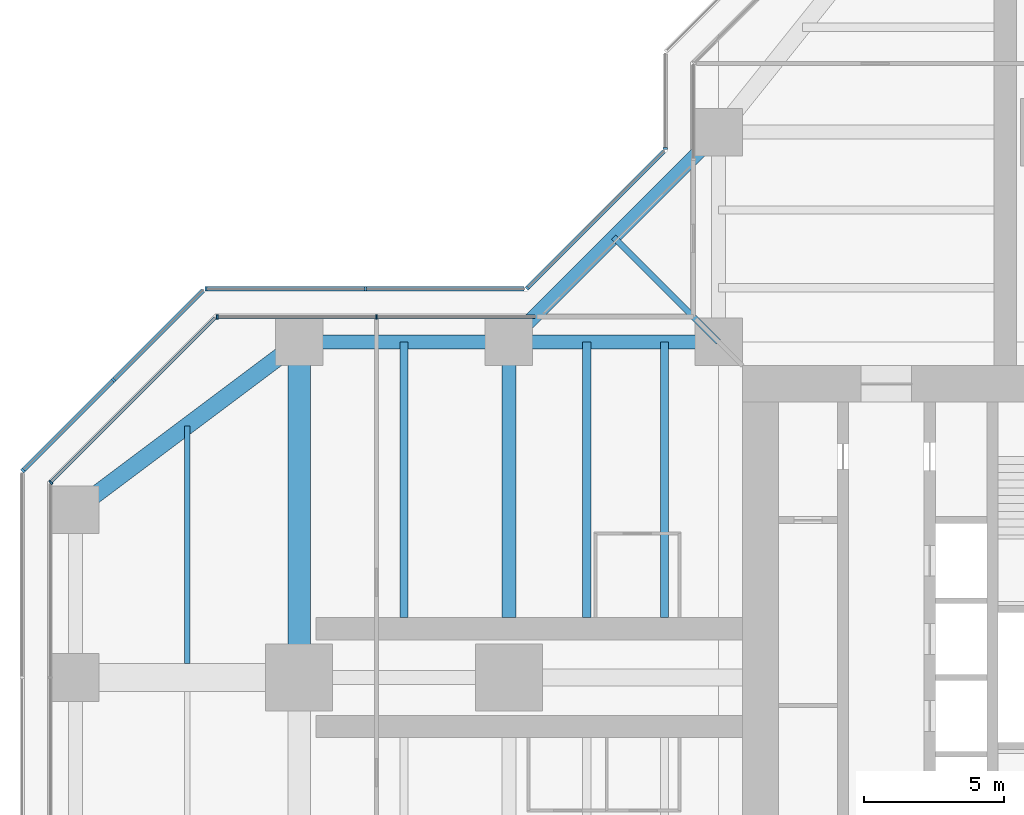
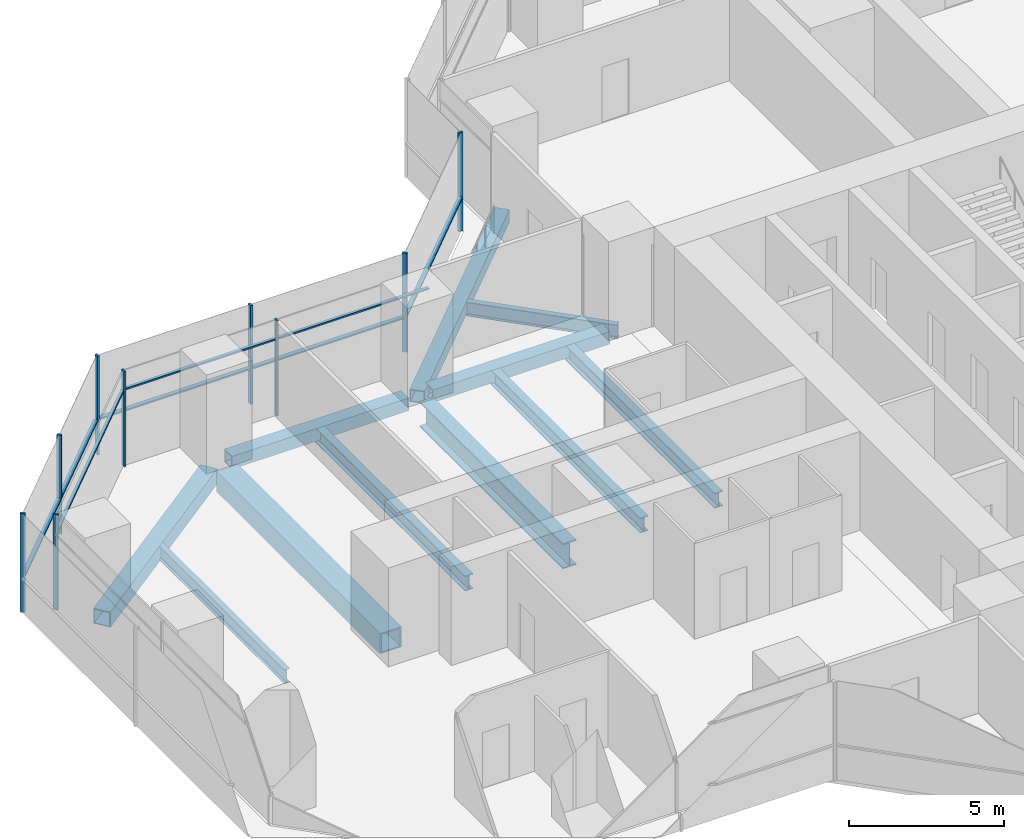
# One storey, part 7 of 20: 17 members, 11 beams, 6 elements without a shape of their own.
"""IFC4 building model written with IfcOpenShell, lengths in metres."""

from ifc_helpers import new_model, si_unit, direction, frame, origin, origin_2d, place, context, subcontext, project, spatial, rectangle, hollow_rectangle, i_section, extrude, material, material_profile, profile_set, type_object, element, aggregate, save


model = new_model("IFC4")

# Units and contexts
model_context = context("Model", 3, precision=1e-05, world=origin(), true_north=direction((0.0, 1.0)))
body_context = subcontext(model_context, "Body", "Model", "MODEL_VIEW")
ifc_project = project(units=[si_unit("LENGTHUNIT", "METRE"), si_unit("AREAUNIT", "SQUARE_METRE"), si_unit("VOLUMEUNIT", "CUBIC_METRE"), si_unit("PLANEANGLEUNIT", "RADIAN"), si_unit("MASSUNIT", "GRAM", prefix="KILO")], contexts=[model_context])

# Site, building, storey
site_placement = place(None, origin())
site = spatial("IfcSite", under=ifc_project, at=site_placement, CompositionType="ELEMENT")
building_placement = place(site_placement, origin())
building = spatial("IfcBuilding", under=site, at=building_placement, Name="Mizan Broadcast Tower", CompositionType="ELEMENT")
storey_placement = place(building_placement, frame((0.0, 0.0, 143.699951171875)))
storey = spatial("IfcBuildingStorey", under=building, at=storey_placement, Name="L32", CompositionType="ELEMENT", Elevation=143.699951171875)

# Beams
ifc_material_1 = material(Name="Steel S355", Category="steel")
ifc_material_profile_1 = material_profile(ifc_material_1, hollow_rectangle(XDim=0.5, YDim=0.5, WallThickness=0.030029296875, at=origin_2d()), Name="BOX 500x500x30")
ifc_profile_set_1 = profile_set([ifc_material_profile_1], Name="Steel S355")
beam_type_1 = type_object("IfcBeamType", Name="EDGE BEAM BOX 500x500x30", PredefinedType="SPANDREL", material=ifc_profile_set_1)
for number, where, z_axis, x_axis, name in (
    (1, (-12.449951171875, 12.0, -0.3798828125), (-1.0, 0.0, 0.0), (0.0, -1.0, 0.0), "Edge beam BOX 500x500x30 L32 west arm"),
    (2, (-19.949951171875, 12.0, -0.3798828125), (-1.0, 0.0, 0.0), (0.0, -1.0, 0.0), "Edge beam BOX 500x500x30 L32 west arm"),
):
    element("IfcBeam", number, at=place(storey_placement, frame(where, z_axis=z_axis, x_axis=x_axis)), inside=storey, type_object=beam_type_1, Name=name, PredefinedType="SPANDREL", context=body_context, shape_type="SweptSolid", body=[
        extrude(hollow_rectangle(XDim=0.5, YDim=0.5, WallThickness=0.030029296875, at=origin_2d()), origin(), (0.0, 0.0, 1.0), 6.60009765625),
    ])
beam_1_placement = place(storey_placement, frame((-12.0, 19.5, -0.3798828125), z_axis=(-0.707106781187, -0.707106781187, 0.0), x_axis=(0.707106781187, -0.707106781187, 0.0)))
element("IfcBeam", 3, at=beam_1_placement, inside=storey, type_object=beam_type_1, Name="Winter garden edge beam L32 N", PredefinedType="SPANDREL", context=body_context, shape_type="SweptSolid", body=[
    extrude(hollow_rectangle(XDim=0.5, YDim=0.5, WallThickness=0.030029296875, at=origin_2d()), origin(), (0.0, 0.0, 1.0), 10.606689453125),
])
ifc_material_2 = material(Name="Steel S355", Category="steel")
ifc_material_profile_2 = material_profile(ifc_material_2, hollow_rectangle(XDim=0.60009765625, YDim=0.60009765625, WallThickness=0.030029296875, at=origin_2d()), Name="BOX 600x600x30")
ifc_profile_set_2 = profile_set([ifc_material_profile_2], Name="Steel S355")
beam_type_2 = type_object("IfcBeamType", Name="EDGE BEAM BOX 600x600x30", PredefinedType="SPANDREL", material=ifc_profile_set_2)
beam_2_placement = place(storey_placement, frame((-27.47998046875, 11.639892578125, -0.429931640625), z_axis=(-0.800013316712, -0.599982243973, 0.0), x_axis=(0.599982243973, -0.800013316712, 0.0)))
element("IfcBeam", 4, at=beam_2_placement, inside=storey, type_object=beam_type_2, Name="Edge beam BOX 600x600x30 L32 west arm", PredefinedType="SPANDREL", context=body_context, shape_type="SweptSolid", body=[
    extrude(hollow_rectangle(XDim=0.60009765625, YDim=0.60009765625, WallThickness=0.030029296875, at=origin_2d()), origin(), (0.0, 0.0, 1.0), 8.7998046875),
])
ifc_material_3 = material(Name="Steel S460", Category="steel")
ifc_material_profile_3 = material_profile(ifc_material_3, hollow_rectangle(XDim=0.800048828125, YDim=0.800048828125, WallThickness=0.050048828125, at=origin_2d()), Name="BOX 800x800x50")
ifc_profile_set_3 = profile_set([ifc_material_profile_3], Name="Steel S460")
beam_type_3 = type_object("IfcBeamType", Name="GIRDER BOX 800x800x50", PredefinedType="BEAM", material=ifc_profile_set_3)
beam_3_placement = place(storey_placement, frame((-27.0, 11.280029296875, -0.530029296875), z_axis=(0.0, -1.0, 0.0), x_axis=(1.0, 0.0, 0.0)))
element("IfcBeam", 5, at=beam_3_placement, inside=storey, type_object=beam_type_3, Name="Girder BOX 800x800x50 L32 west arm", PredefinedType="BEAM", context=body_context, shape_type="SweptSolid", body=[
    extrude(hollow_rectangle(XDim=0.800048828125, YDim=0.800048828125, WallThickness=0.050048828125, at=origin_2d()), origin(), (0.0, 0.0, 1.0), 10.56005859375),
])
ifc_material_4 = material(Name="Steel S460", Category="steel")
ifc_material_profile_4 = material_profile(ifc_material_4, i_section(OverallWidth=0.5, OverallDepth=1.0, WebThickness=0.02490234375, FlangeThickness=0.050048828125, at=origin_2d()), Name="WPG 1000x500")
ifc_profile_set_4 = profile_set([ifc_material_profile_4], Name="Steel S460")
beam_type_4 = type_object("IfcBeamType", Name="GIRDER WPG 1000x500", PredefinedType="BEAM", material=ifc_profile_set_4)
beam_4_placement = place(storey_placement, frame((-19.5, 11.408935546875, -0.6298828125), z_axis=(0.0, -1.0, 0.0), x_axis=(1.0, 0.0, 0.0)))
element("IfcBeam", 6, at=beam_4_placement, inside=storey, type_object=beam_type_4, Name="Girder WPG 1000x500 L32 west arm", PredefinedType="BEAM", context=body_context, shape_type="SweptSolid", body=[
    extrude(i_section(OverallWidth=0.5, OverallDepth=1.0, WebThickness=0.02490234375, FlangeThickness=0.050048828125, at=origin_2d()), origin(), (0.0, 0.0, 1.0), 9.259033203125),
])

# Curtain wall, members
ifc_material_5 = material(Name="Aluminium framed glazing", Category="aluminium")
curtain_wall_type_1 = type_object("IfcCurtainWallType", Name="INNER SKIN MID ZONE", PredefinedType="USERDEFINED", material=ifc_material_5)
curtain_wall_1_placement = place(storey_placement, origin())
curtain_wall_1 = element("IfcCurtainWall", 7, at=curtain_wall_1_placement, inside=storey, type_object=curtain_wall_type_1, Name="Inner skin mid zone L32 W side", ObjectType="INNER SKIN MID ZONE", PredefinedType="USERDEFINED")
ifc_material_6 = material(Name="Aluminium, pale anodised", Category="aluminium")
ifc_material_profile_5 = material_profile(ifc_material_6, rectangle(XDim=0.159912109375, YDim=0.06005859375, at=origin_2d()), Name="MULLION 160x60")
ifc_profile_set_5 = profile_set([ifc_material_profile_5], Name="Aluminium, pale anodised")
member_type_1 = type_object("IfcMemberType", Name="INNER SKIN MULLION 60x160", PredefinedType="MULLION", material=ifc_profile_set_5)
member_1_placement = place(storey_placement, frame((-24.229248046875, 12.89990234375, 0.0), z_axis=(0.0, 0.0, 1.0), x_axis=(0.0, -1.0, 0.0)))
member_1 = element("IfcMember", 8, at=member_1_placement, type_object=member_type_1, Name="Inner skin mid zone L32 W side mullion 2", PredefinedType="MULLION", context=body_context, shape_type="SweptSolid", body=[
    extrude(rectangle(XDim=0.159912109375, YDim=0.06005859375, at=origin_2d()), origin(), (0.0, 0.0, 1.0), 3.77001953125),
])
member_2_placement = place(storey_placement, frame((-29.928466796875, 12.89990234375, 0.0), z_axis=(0.0, 0.0, 1.0), x_axis=(0.0, -1.0, 0.0)))
member_2 = element("IfcMember", 9, at=member_2_placement, type_object=member_type_1, Name="Inner skin mid zone L32 W side mullion 3", PredefinedType="MULLION", context=body_context, shape_type="SweptSolid", body=[
    extrude(rectangle(XDim=0.159912109375, YDim=0.06005859375, at=origin_2d()), origin(), (0.0, 0.0, 1.0), 3.77001953125),
])

# Curtain wall, member
curtain_wall_2_placement = place(storey_placement, origin())
curtain_wall_2 = element("IfcCurtainWall", 10, at=curtain_wall_2_placement, inside=storey, type_object=curtain_wall_type_1, Name="Inner skin mid zone L32 W chamfer", ObjectType="INNER SKIN MID ZONE", PredefinedType="USERDEFINED")
member_3_placement = place(storey_placement, frame((-35.87890625, 6.979736328125, 0.0), z_axis=(0.0, 0.0, 1.0), x_axis=(0.707106781187, -0.707106781187, 0.0)))
member_3 = element("IfcMember", 11, at=member_3_placement, type_object=member_type_1, Name="Inner skin mid zone L32 W chamfer mullion 2", PredefinedType="MULLION", context=body_context, shape_type="SweptSolid", body=[
    extrude(rectangle(XDim=0.159912109375, YDim=0.06005859375, at=origin_2d()), origin(), (0.0, 0.0, 1.0), 3.77001953125),
])

# Member
ifc_material_7 = material(Name="Aluminium, pale anodised", Category="aluminium")
ifc_material_profile_6 = material_profile(ifc_material_7, rectangle(XDim=0.1201171875, YDim=0.06005859375, at=origin_2d()), Name="TRANSOM 120x60")
ifc_profile_set_6 = profile_set([ifc_material_profile_6], Name="Aluminium, pale anodised")
member_type_2 = type_object("IfcMemberType", Name="INNER SKIN TRANSOM 60x120", PredefinedType="USERDEFINED", material=ifc_profile_set_6)
member_4_placement = place(storey_placement, frame((-18.56005859375, 12.89990234375, 3.030029296875), z_axis=(-1.0, 0.0, 0.0), x_axis=(0.0, -1.0, 0.0)))
member_4 = element("IfcMember", 12, at=member_4_placement, type_object=member_type_2, Name="Inner skin mid zone L32 W side transom 1.1", ObjectType="TRANSOM", PredefinedType="USERDEFINED", context=body_context, shape_type="SweptSolid", body=[
    extrude(rectangle(XDim=0.1201171875, YDim=0.06005859375, at=origin_2d()), origin(), (0.0, 0.0, 1.0), 5.63916015625),
])

member_5_placement = place(storey_placement, frame((-24.25927734375, 12.89990234375, 3.030029296875), z_axis=(-1.0, 0.0, 0.0), x_axis=(0.0, -1.0, 0.0)))
member_5 = element("IfcMember", 13, at=member_5_placement, type_object=member_type_2, Name="Inner skin mid zone L32 W side transom 2.1", ObjectType="TRANSOM", PredefinedType="USERDEFINED", context=body_context, shape_type="SweptSolid", body=[
    extrude(rectangle(XDim=0.1201171875, YDim=0.06005859375, at=origin_2d()), origin(), (0.0, 0.0, 1.0), 5.639404296875),
])

aggregate(curtain_wall_1, [member_1, member_2, member_4, member_5])

member_6_placement = place(storey_placement, frame((-30.0009765625, 12.857666015625, 3.030029296875), z_axis=(-0.707106781187, -0.707106781187, 0.0), x_axis=(0.707106781187, -0.707106781187, 0.0)))
member_6 = element("IfcMember", 14, at=member_6_placement, type_object=member_type_2, Name="Inner skin mid zone L32 W chamfer transom 1.1", ObjectType="TRANSOM", PredefinedType="USERDEFINED", context=body_context, shape_type="SweptSolid", body=[
    extrude(rectangle(XDim=0.1201171875, YDim=0.06005859375, at=origin_2d()), origin(), (0.0, 0.0, 1.0), 8.28271484375),
])

aggregate(curtain_wall_2, [member_3, member_6])

# Curtain wall, member
ifc_material_8 = material(Name="Aluminium framed glazing", Category="aluminium")
curtain_wall_type_2 = type_object("IfcCurtainWallType", Name="OUTER SKIN", PredefinedType="USERDEFINED", material=ifc_material_8)
curtain_wall_3_placement = place(storey_placement, origin())
curtain_wall_3 = element("IfcCurtainWall", 15, at=curtain_wall_3_placement, inside=storey, type_object=curtain_wall_type_2, Name="Outer skin L32 N side", ObjectType="OUTER SKIN", PredefinedType="USERDEFINED")
ifc_material_9 = material(Name="Aluminium, pale anodised", Category="aluminium")
ifc_material_profile_7 = material_profile(ifc_material_9, rectangle(XDim=0.159912109375, YDim=0.080078125, at=origin_2d()), Name="MULLION 160x80")
ifc_profile_set_7 = profile_set([ifc_material_profile_7], Name="Aluminium, pale anodised")
member_type_3 = type_object("IfcMemberType", Name="OUTER SKIN MULLION 80x160", PredefinedType="MULLION", material=ifc_profile_set_7)
member_7_placement = place(storey_placement, frame((-13.89990234375, 18.912841796875, 0.0), z_axis=(0.0, 0.0, 1.0), x_axis=(1.0, 0.0, 0.0)))
member_7 = element("IfcMember", 16, at=member_7_placement, type_object=member_type_3, Name="Outer skin L32 N side mullion 2", PredefinedType="MULLION", context=body_context, shape_type="SweptSolid", body=[
    extrude(rectangle(XDim=0.159912109375, YDim=0.080078125, at=origin_2d()), origin(), (0.0, 0.0, 1.0), 3.900146484375),
])
aggregate(curtain_wall_3, [member_7])

curtain_wall_4_placement = place(storey_placement, origin())
curtain_wall_4 = element("IfcCurtainWall", 17, at=curtain_wall_4_placement, inside=storey, type_object=curtain_wall_type_2, Name="Outer skin L32 W chamfer", ObjectType="OUTER SKIN", PredefinedType="USERDEFINED")
member_8_placement = place(storey_placement, frame((-18.844482421875, 13.92822265625, 0.0), z_axis=(0.0, 0.0, 1.0), x_axis=(0.707106781187, -0.707106781187, 0.0)))
member_8 = element("IfcMember", 18, at=member_8_placement, type_object=member_type_3, Name="Outer skin L32 W chamfer mullion 2", PredefinedType="MULLION", context=body_context, shape_type="SweptSolid", body=[
    extrude(rectangle(XDim=0.159912109375, YDim=0.080078125, at=origin_2d()), origin(), (0.0, 0.0, 1.0), 3.900146484375),
])

# Curtain wall, members
curtain_wall_5_placement = place(storey_placement, origin())
curtain_wall_5 = element("IfcCurtainWall", 19, at=curtain_wall_5_placement, inside=storey, type_object=curtain_wall_type_2, Name="Outer skin L32 W side", ObjectType="OUTER SKIN", PredefinedType="USERDEFINED")
member_9_placement = place(storey_placement, frame((-24.622802734375, 13.89990234375, 0.0), z_axis=(0.0, 0.0, 1.0), x_axis=(0.0, -1.0, 0.0)))
member_9 = element("IfcMember", 20, at=member_9_placement, type_object=member_type_3, Name="Outer skin L32 W side mullion 2", PredefinedType="MULLION", context=body_context, shape_type="SweptSolid", body=[
    extrude(rectangle(XDim=0.159912109375, YDim=0.080078125, at=origin_2d()), origin(), (0.0, 0.0, 1.0), 3.900146484375),
])
member_10_placement = place(storey_placement, frame((-30.332763671875, 13.89990234375, 0.0), z_axis=(0.0, 0.0, 1.0), x_axis=(0.0, -1.0, 0.0)))
member_10 = element("IfcMember", 21, at=member_10_placement, type_object=member_type_3, Name="Outer skin L32 W side mullion 3", PredefinedType="MULLION", context=body_context, shape_type="SweptSolid", body=[
    extrude(rectangle(XDim=0.159912109375, YDim=0.080078125, at=origin_2d()), origin(), (0.0, 0.0, 1.0), 3.900146484375),
])

curtain_wall_6_placement = place(storey_placement, origin())
curtain_wall_6 = element("IfcCurtainWall", 22, at=curtain_wall_6_placement, inside=storey, type_object=curtain_wall_type_2, Name="Outer skin L32 W chamfer", ObjectType="OUTER SKIN", PredefinedType="USERDEFINED")
member_11_placement = place(storey_placement, frame((-33.636474609375, 10.636474609375, 0.0), z_axis=(0.0, 0.0, 1.0), x_axis=(0.707106781187, -0.707106781187, 0.0)))
member_11 = element("IfcMember", 23, at=member_11_placement, type_object=member_type_3, Name="Outer skin L32 W chamfer mullion 2", PredefinedType="MULLION", context=body_context, shape_type="SweptSolid", body=[
    extrude(rectangle(XDim=0.159912109375, YDim=0.080078125, at=origin_2d()), origin(), (0.0, 0.0, 1.0), 3.900146484375),
])
member_12_placement = place(storey_placement, frame((-36.871826171875, 7.401123046875, 0.0), z_axis=(0.0, 0.0, 1.0), x_axis=(0.707106781187, -0.707106781187, 0.0)))
member_12 = element("IfcMember", 24, at=member_12_placement, type_object=member_type_3, Name="Outer skin L32 W chamfer mullion 3", PredefinedType="MULLION", context=body_context, shape_type="SweptSolid", body=[
    extrude(rectangle(XDim=0.159912109375, YDim=0.080078125, at=origin_2d()), origin(), (0.0, 0.0, 1.0), 3.900146484375),
])

# Member
ifc_material_10 = material(Name="Aluminium, pale anodised", Category="aluminium")
ifc_material_profile_8 = material_profile(ifc_material_10, rectangle(XDim=0.159912109375, YDim=0.06005859375, at=origin_2d()), Name="TRANSOM 160x60")
ifc_profile_set_8 = profile_set([ifc_material_profile_8], Name="Aluminium, pale anodised")
member_type_4 = type_object("IfcMemberType", Name="OUTER SKIN TRANSOM 60x160", PredefinedType="USERDEFINED", material=ifc_profile_set_8)
member_13_placement = place(storey_placement, frame((-13.95654296875, 18.816162109375, 1.400146484375), z_axis=(-0.707106781187, -0.707106781187, 0.0), x_axis=(0.707106781187, -0.707106781187, 0.0)))
member_13 = element("IfcMember", 25, at=member_13_placement, type_object=member_type_4, Name="Outer skin L32 W chamfer transom 1.1", ObjectType="TRANSOM", PredefinedType="USERDEFINED", context=body_context, shape_type="SweptSolid", body=[
    extrude(rectangle(XDim=0.159912109375, YDim=0.06005859375, at=origin_2d()), origin(), (0.0, 0.0, 1.0), 6.87255859375),
])

aggregate(curtain_wall_4, [member_8, member_13])

member_14_placement = place(storey_placement, frame((-18.952880859375, 13.89990234375, 1.400146484375), z_axis=(-1.0, 0.0, 0.0), x_axis=(0.0, -1.0, 0.0)))
member_14 = element("IfcMember", 26, at=member_14_placement, type_object=member_type_4, Name="Outer skin L32 W side transom 1.1", ObjectType="TRANSOM", PredefinedType="USERDEFINED", context=body_context, shape_type="SweptSolid", body=[
    extrude(rectangle(XDim=0.159912109375, YDim=0.06005859375, at=origin_2d()), origin(), (0.0, 0.0, 1.0), 5.6298828125),
])

member_15_placement = place(storey_placement, frame((-24.662841796875, 13.89990234375, 1.400146484375), z_axis=(-1.0, 0.0, 0.0), x_axis=(0.0, -1.0, 0.0)))
member_15 = element("IfcMember", 27, at=member_15_placement, type_object=member_type_4, Name="Outer skin L32 W side transom 2.1", ObjectType="TRANSOM", PredefinedType="USERDEFINED", context=body_context, shape_type="SweptSolid", body=[
    extrude(rectangle(XDim=0.159912109375, YDim=0.06005859375, at=origin_2d()), origin(), (0.0, 0.0, 1.0), 5.6298828125),
])

aggregate(curtain_wall_5, [member_9, member_10, member_14, member_15])

member_16_placement = place(storey_placement, frame((-30.429443359375, 13.843505859375, 1.400146484375), z_axis=(-0.707106781187, -0.707106781187, 0.0), x_axis=(0.707106781187, -0.707106781187, 0.0)))
member_16 = element("IfcMember", 28, at=member_16_placement, type_object=member_type_4, Name="Outer skin L32 W chamfer transom 1.1", ObjectType="TRANSOM", PredefinedType="USERDEFINED", context=body_context, shape_type="SweptSolid", body=[
    extrude(rectangle(XDim=0.159912109375, YDim=0.06005859375, at=origin_2d()), origin(), (0.0, 0.0, 1.0), 4.495361328125),
])

member_17_placement = place(storey_placement, frame((-33.664794921875, 10.608154296875, 1.400146484375), z_axis=(-0.707106781187, -0.707106781187, 0.0), x_axis=(0.707106781187, -0.707106781187, 0.0)))
member_17 = element("IfcMember", 29, at=member_17_placement, type_object=member_type_4, Name="Outer skin L32 W chamfer transom 2.1", ObjectType="TRANSOM", PredefinedType="USERDEFINED", context=body_context, shape_type="SweptSolid", body=[
    extrude(rectangle(XDim=0.159912109375, YDim=0.06005859375, at=origin_2d()), origin(), (0.0, 0.0, 1.0), 4.495361328125),
])

aggregate(curtain_wall_6, [member_11, member_12, member_16, member_17])

# Beams
ifc_material_11 = material(Name="Steel S355", Category="steel")
ifc_material_profile_9 = material_profile(ifc_material_11, i_section(OverallWidth=0.300048828125, OverallDepth=0.590087890625, WebThickness=0.012939453125, FlangeThickness=0.02490234375, FilletRadius=0.027099609375, at=origin_2d()), Name="HEA 600")
ifc_profile_set_9 = profile_set([ifc_material_profile_9], Name="Steel S355")
beam_type_5 = type_object("IfcBeamType", Name="SECONDARY BEAM HEA 600", PredefinedType="JOIST", material=ifc_profile_set_9)
for number, where, z_axis, x_axis, name in (
    (30, (-13.933349609375, 12.0, -0.425048828125), (0.0, -1.0, 0.0), (1.0, 0.0, 0.0), "Secondary beam HEA 600 L32 west arm"),
    (31, (-16.716552734375, 12.0, -0.425048828125), (0.0, -1.0, 0.0), (1.0, 0.0, 0.0), "Secondary beam HEA 600 L32 west arm"),
    (32, (-23.25, 12.0, -0.425048828125), (0.0, -1.0, 0.0), (1.0, 0.0, 0.0), "Secondary beam HEA 600 L32 west arm"),
):
    element("IfcBeam", number, at=place(storey_placement, frame(where, z_axis=z_axis, x_axis=x_axis)), inside=storey, type_object=beam_type_5, Name=name, PredefinedType="JOIST", context=body_context, shape_type="SweptSolid", body=[
        extrude(i_section(OverallWidth=0.300048828125, OverallDepth=0.590087890625, WebThickness=0.012939453125, FlangeThickness=0.02490234375, FilletRadius=0.027099609375, at=origin_2d()), origin(), (0.0, 0.0, 1.0), 9.85009765625),
    ])
ifc_material_12 = material(Name="Steel S355", Category="steel")
ifc_material_profile_10 = material_profile(ifc_material_12, i_section(OverallWidth=0.2099609375, OverallDepth=0.550048828125, WebThickness=0.010986328125, FlangeThickness=0.01708984375, FilletRadius=0.02392578125, at=origin_2d()), Name="IPE 550")
ifc_profile_set_10 = profile_set([ifc_material_profile_10], Name="Steel S355")
beam_type_6 = type_object("IfcBeamType", Name="SECONDARY BEAM IPE 550", PredefinedType="JOIST", material=ifc_profile_set_10)
beam_5_placement = place(storey_placement, frame((-31.0, 9.0, -0.405029296875), z_axis=(0.0, -1.0, 0.0), x_axis=(1.0, 0.0, 0.0)))
element("IfcBeam", 33, at=beam_5_placement, inside=storey, type_object=beam_type_6, Name="Secondary beam IPE 550 L32 west arm", PredefinedType="JOIST", context=body_context, shape_type="SweptSolid", body=[
    extrude(i_section(OverallWidth=0.2099609375, OverallDepth=0.550048828125, WebThickness=0.010986328125, FlangeThickness=0.01708984375, FilletRadius=0.02392578125, at=origin_2d()), origin(), (0.0, 0.0, 1.0), 8.5),
])
beam_6_placement = place(storey_placement, frame((-12.0, 12.0, -0.405029296875), z_axis=(-0.707106781187, 0.707106781187, 0.0), x_axis=(-0.707106781187, -0.707106781187, 0.0)))
element("IfcBeam", 34, at=beam_6_placement, inside=storey, type_object=beam_type_6, Name="Winter garden beam L32 N", PredefinedType="JOIST", context=body_context, shape_type="SweptSolid", body=[
    extrude(i_section(OverallWidth=0.2099609375, OverallDepth=0.550048828125, WebThickness=0.010986328125, FlangeThickness=0.01708984375, FilletRadius=0.02392578125, at=origin_2d()), origin(), (0.0, 0.0, 1.0), 5.30322265625),
])

save(model, "model.ifc")
